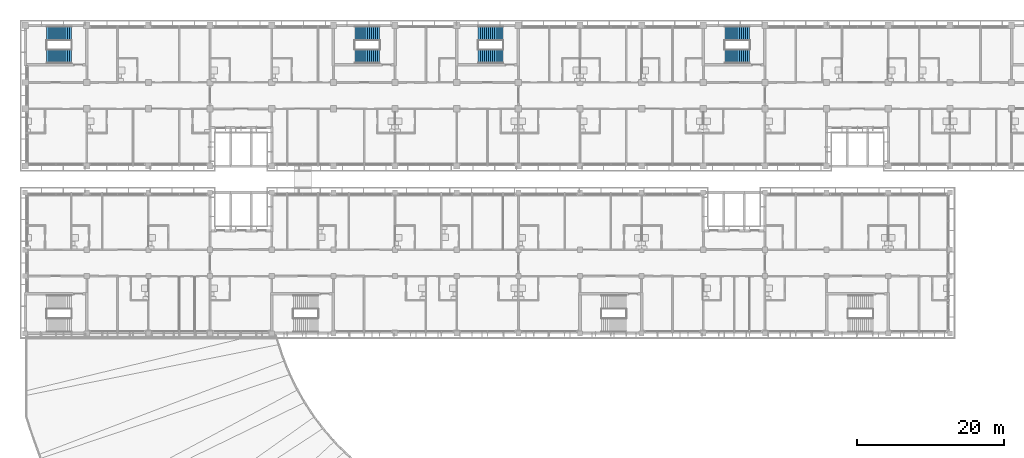
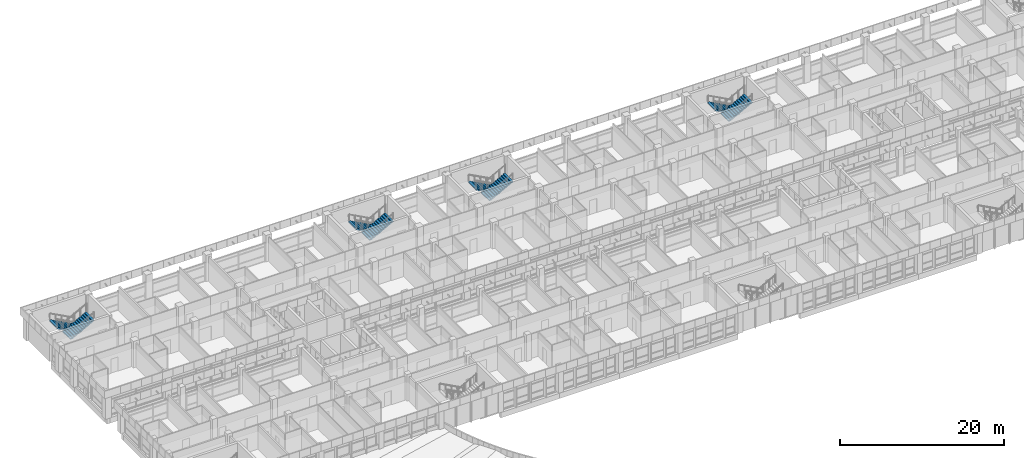
# One storey, part 46 of 74: 8 stair flights, 4 elements without a shape of their own.
"""IFC4 building model written with IfcOpenShell, lengths in metres."""

import ifcopenshell
import ifcopenshell.guid

model = None  # the IFC model being written
_history = None  # IfcOwnerHistory: only IFC2X3 demands one
_inside = {}  # id of a spatial element -> (the spatial element, [elements in it])
_under = {}  # id of a project, library or spatial element -> (it, [spatial elements below it])
_declared = {}  # id of a project -> (the project, [libraries it declares])
_typed = {}  # id of a type object -> (the type object, [elements of that type])
_made_of = {}  # id of a material, layer set ... -> (it, [elements and type objects made of it])


def new_model(schema):
    """Start an empty IFC model of exactly this schema.

    Asked for "IFC4X3", IfcOpenShell would pick the latest addendum, in which some entities
    have other attributes; the version numbers below select the first issue.
    IFC2X3 requires an IfcOwnerHistory on every rooted entity: one is made here for all.
    """
    global model, _history
    if schema == "IFC4X3":
        model = ifcopenshell.file(schema_version=(4, 3, 0, 0))
    else:
        model = ifcopenshell.file(schema=schema)
    _inside.clear()
    _under.clear()
    _declared.clear()
    _typed.clear()
    _made_of.clear()
    _history = None
    if model.schema == "IFC2X3":
        org = make("IfcOrganization", Name="unknown")
        user = make(
            "IfcPersonAndOrganization",
            ThePerson=make("IfcPerson", FamilyName="unknown"),
            TheOrganization=org,
        )
        app = make(
            "IfcApplication",
            ApplicationDeveloper=org,
            Version="unknown",
            ApplicationFullName="unknown",
            ApplicationIdentifier="unknown",
        )
        _history = make(
            "IfcOwnerHistory",
            OwningUser=user,
            OwningApplication=app,
            ChangeAction="ADDED",
            CreationDate=0,
        )
    return model


def make(cls, **values):
    """One entity of the class cls with the attributes given. An attribute that is None is left unset."""
    return model.create_entity(
        cls, **{name: value for name, value in values.items() if value is not None}
    )


def rooted(cls, **values):
    """An entity with a GlobalId (a new one), such as an element, a storey or a relation."""
    return make(cls, GlobalId=ifcopenshell.guid.new(), OwnerHistory=_history, **values)


def si_unit(unit_type, name, prefix=None):
    """IfcSIUnit, for example si_unit("LENGTHUNIT", "METRE", prefix="MILLI")."""
    return make("IfcSIUnit", UnitType=unit_type, Prefix=prefix, Name=name)


def assignment(units):
    """IfcUnitAssignment: the units of a project."""
    return None if units is None else make("IfcUnitAssignment", Units=units)


def point(xyz):
    """IfcCartesianPoint."""
    return None if xyz is None else make("IfcCartesianPoint", Coordinates=xyz)


def direction(xyz):
    """IfcDirection."""
    return None if xyz is None else make("IfcDirection", DirectionRatios=xyz)


def frame(location, z_axis=None, x_axis=None):
    """IfcAxis2Placement3D, a coordinate frame: its origin and axes. An axis left out is left unset."""
    return make(
        "IfcAxis2Placement3D",
        Location=point(location),
        Axis=direction(z_axis),
        RefDirection=direction(x_axis),
    )


def origin():
    """The frame at (0, 0, 0) with its axes left unset."""
    return frame((0.0, 0.0, 0.0))


def place(relative_to, where):
    """IfcLocalPlacement: puts the frame where relative to a parent placement (None: the world)."""
    return make(
        "IfcLocalPlacement", PlacementRelTo=relative_to, RelativePlacement=where
    )


def context(
    kind, dimensions, precision=None, world=None, true_north=None, identifier=None
):
    """IfcGeometricRepresentationContext, for example the 3D "Model" context."""
    return make(
        "IfcGeometricRepresentationContext",
        ContextIdentifier=identifier,
        ContextType=kind,
        CoordinateSpaceDimension=dimensions,
        Precision=precision,
        WorldCoordinateSystem=world,
        TrueNorth=true_north,
    )


def subcontext(parent, identifier, kind, view, scale=None):
    """IfcGeometricRepresentationSubContext, for example "Body" below "Model"."""
    return make(
        "IfcGeometricRepresentationSubContext",
        ContextIdentifier=identifier,
        ContextType=kind,
        ParentContext=parent,
        TargetScale=scale,
        TargetView=view,
    )


def project(units=None, contexts=None):
    """IfcProject with its units and contexts."""
    return rooted(
        "IfcProject",
        Name="project",
        RepresentationContexts=contexts,
        UnitsInContext=assignment(units),
    )


def spatial(cls, under=None, at=None, **own):
    """A site, building, storey or space (cls), placed at a placement, below another one or the project."""
    s = rooted(cls, ObjectPlacement=at, **own)
    if under is not None:
        _under.setdefault(under.id(), (under, []))[1].append(s)
    return s


def polyline(points):
    """IfcPolyline through the points."""
    return make("IfcPolyline", Points=[point(p) for p in points])


def outline(outer, holes=None, kind="AREA"):
    """IfcArbitraryClosedProfileDef: a profile drawn as a closed curve; with holes, ...WithVoids."""
    if holes is None:
        return make("IfcArbitraryClosedProfileDef", ProfileType=kind, OuterCurve=outer)
    return make(
        "IfcArbitraryProfileDefWithVoids",
        ProfileType=kind,
        OuterCurve=outer,
        InnerCurves=holes,
    )


def extrude(swept, where, along, depth):
    """IfcExtrudedAreaSolid: the profile swept, set in the frame where, extruded along a direction by depth."""
    return make(
        "IfcExtrudedAreaSolid",
        SweptArea=swept,
        Position=where,
        ExtrudedDirection=direction(along),
        Depth=depth,
    )


def shape(context_of_items, identifier, shape_type, items):
    """IfcShapeRepresentation: the items that make up one representation, for example the "Body"."""
    return make(
        "IfcShapeRepresentation",
        ContextOfItems=context_of_items,
        RepresentationIdentifier=identifier,
        RepresentationType=shape_type,
        Items=items,
    )


def material(Name=None, Category=None):
    """IfcMaterial."""
    return make("IfcMaterial", Name=Name, Category=Category)


def made_of(thing, what):
    """Note that an element or type object is made of a material, layer set ...; save() writes the relation."""
    if what is not None:
        _made_of.setdefault(what.id(), (what, []))[1].append(thing)
    return thing


def type_object(cls, material=None, **own):
    """A type object (cls), such as IfcWallType, which elements share."""
    return made_of(rooted(cls, **own), material)


def element(
    cls,
    number,
    at=None,
    inside=None,
    cuts=None,
    type_object=None,
    material=None,
    context=None,
    identifier="Body",
    shape_type=None,
    held_by="IfcProductDefinitionShape",
    body=None,
    shapes=None,
    **own,
):
    """One element of the class cls, such as IfcWall. Its Tag is "e" and its number.

    at: its placement. inside: the storey or other place that contains it. cuts: it is an
    opening in that element (IfcRelVoidsElement). A single representation is given by context,
    identifier, shape_type and body (its items); several are given by shapes. held_by: the class
    of the entity that holds the representations. save() writes the other relations.
    """
    e = rooted(cls, Tag="e%d" % number, ObjectPlacement=at, **own)
    if body is not None:
        shapes = [shape(context, identifier, shape_type, body)]
    if shapes is not None:
        e.Representation = make(held_by, Representations=shapes)
    if inside is not None:
        _inside.setdefault(inside.id(), (inside, []))[1].append(e)
    if cuts is not None:
        rooted(
            "IfcRelVoidsElement", RelatingBuildingElement=cuts, RelatedOpeningElement=e
        )
    if type_object is not None:
        _typed.setdefault(type_object.id(), (type_object, []))[1].append(e)
    return made_of(e, material)


def aggregate(whole, parts):
    """IfcRelAggregates: a whole, such as a stair, and the parts it consists of."""
    return rooted("IfcRelAggregates", RelatingObject=whole, RelatedObjects=parts)


def save(model, path):
    """Write the relations noted so far, then the file.

    IfcRelAggregates (storeys below a building ...), IfcRelContainedInSpatialStructure (elements
    in a storey), IfcRelDefinesByType, IfcRelAssociatesMaterial and IfcRelDeclares: one each for
    every whole, place, type object, material and project.
    """
    for whole, parts in _under.values():
        aggregate(whole, parts)
    for where, things in _inside.values():
        rooted(
            "IfcRelContainedInSpatialStructure",
            RelatedElements=things,
            RelatingStructure=where,
        )
    for kind, things in _typed.values():
        rooted("IfcRelDefinesByType", RelatedObjects=things, RelatingType=kind)
    for what, things in _made_of.values():
        rooted("IfcRelAssociatesMaterial", RelatedObjects=things, RelatingMaterial=what)
    for by, libraries in _declared.values():
        rooted("IfcRelDeclares", RelatingContext=by, RelatedDefinitions=libraries)
    model.write(path)


model = new_model("IFC4")

# Units and contexts
model_context = context("Model", 3, precision=1e-05, world=origin(), true_north=direction((0.0, 1.0)))
body_context = subcontext(model_context, "Body", "Model", "MODEL_VIEW")
ifc_project = project(units=[si_unit("LENGTHUNIT", "METRE"), si_unit("AREAUNIT", "SQUARE_METRE"), si_unit("VOLUMEUNIT", "CUBIC_METRE"), si_unit("PLANEANGLEUNIT", "RADIAN"), si_unit("MASSUNIT", "GRAM", prefix="KILO")], contexts=[model_context])

# Site, building, storey
site_placement = place(None, origin())
site = spatial("IfcSite", under=ifc_project, at=site_placement, CompositionType="ELEMENT")
building_placement = place(site_placement, origin())
building = spatial("IfcBuilding", under=site, at=building_placement, Name="Bougainvillea Quay General Hospital", CompositionType="ELEMENT")
storey_placement = place(building_placement, frame((0.0, 0.0, 21.0)))
storey = spatial("IfcBuildingStorey", under=building, at=storey_placement, Name="L04", CompositionType="ELEMENT", Elevation=21.0)

# Stair, stair flights
ifc_material = material(Name="Concrete C35", Category="concrete")
stair_type = type_object("IfcStairType", Name="Stair half-turn 1925 wide", PredefinedType="HALF_TURN_STAIR", material=ifc_material)
stair_1_placement = place(storey_placement, origin())
stair_1 = element("IfcStair", 1, at=stair_1_placement, inside=storey, type_object=stair_type, Name="L04 stair ST-A1", PredefinedType="HALF_TURN_STAIR")
stair_flight_type = type_object("IfcStairFlightType", Name="Stair flight 1925", PredefinedType="STRAIGHT", material=ifc_material)
stair_flight_1_placement = place(storey_placement, frame((48.300048828125, 158.46240234375, 0.0), z_axis=(0.0, 0.0, 1.0), x_axis=(-1.0, 0.0, 0.0)))
stair_flight_1 = element("IfcStairFlight", 2, at=stair_flight_1_placement, type_object=stair_flight_type, Name="ST-A1 flight 1", NumberOfRisers=13, NumberOfTreads=12, PredefinedType="STRAIGHT", RiserHeight=0.15, TreadLength=0.28, context=body_context, shape_type="SweptSolid", body=[
    extrude(outline(polyline([(-0.0029296875, 0.0), (-0.0029296875, 0.003662109375), (-0.0029296875, 0.00732421875), (-0.0029296875, 0.010986328125), (-0.0029296875, 0.0146484375), (-0.0029296875, 0.018310546875), (-0.0029296875, 0.02197265625), (-0.0029296875, 0.025634765625), (-0.0029296875, 0.029296875), (-0.0029296875, 0.032958984375), (-0.0029296875, 0.03662109375), (-0.0029296875, 0.040283203125), (-0.0029296875, 0.0439453125), (-0.0029296875, 0.047607421875), (-0.0029296875, 0.05126953125), (-0.0029296875, 0.054931640625), (-0.0029296875, 0.05859375), (-0.0029296875, 0.062255859375), (-0.0029296875, 0.06591796875), (-0.0029296875, 0.069580078125), (-0.0029296875, 0.0732421875), (-0.0029296875, 0.076904296875), (-0.0029296875, 0.08056640625), (-0.0029296875, 0.084228515625), (-0.0029296875, 0.087890625), (-0.0029296875, 0.091552734375), (-0.0029296875, 0.09521484375), (-0.0029296875, 0.098876953125), (-0.0029296875, 0.1025390625), (-0.0029296875, 0.106201171875), (-0.0029296875, 0.10986328125), (-0.0029296875, 0.113525390625), (-0.0029296875, 0.1171875), (-0.0029296875, 0.120849609375), (-0.0029296875, 0.12451171875), (-0.0029296875, 0.1279296875), (-0.0029296875, 0.131591796875), (-0.0029296875, 0.13525390625), (-0.0029296875, 0.138916015625), (-0.0029296875, 0.142578125), (-0.0029296875, 0.146240234375), (-0.0029296875, 0.14990234375), (0.280029296875, 0.14990234375), (0.280029296875, 0.300048828125), (0.56005859375, 0.300048828125), (0.56005859375, 0.449951171875), (0.840087890625, 0.449951171875), (0.840087890625, 0.60009765625), (1.1201171875, 0.60009765625), (1.1201171875, 0.75), (1.39990234375, 0.75), (1.39990234375, 0.89990234375), (1.679931640625, 0.89990234375), (1.679931640625, 1.050048828125), (1.9599609375, 1.050048828125), (1.9599609375, 1.199951171875), (2.239990234375, 1.199951171875), (2.239990234375, 1.35009765625), (2.52001953125, 1.35009765625), (2.52001953125, 1.5), (2.800048828125, 1.5), (2.800048828125, 1.64990234375), (3.080078125, 1.64990234375), (3.080078125, 1.800048828125), (3.363037109375, 1.800048828125), (3.363037109375, 1.7958984375), (3.363037109375, 1.791748046875), (3.363037109375, 1.78759765625), (3.363037109375, 1.783447265625), (3.363037109375, 1.779296875), (3.363037109375, 1.775146484375), (3.363037109375, 1.77099609375), (3.363037109375, 1.766845703125), (3.363037109375, 1.7626953125), (3.363037109375, 1.758544921875), (3.363037109375, 1.75439453125), (3.363037109375, 1.750244140625), (3.363037109375, 1.74609375), (3.363037109375, 1.741943359375), (3.363037109375, 1.73779296875), (3.363037109375, 1.733642578125), (3.363037109375, 1.7294921875), (3.363037109375, 1.725341796875), (3.363037109375, 1.72119140625), (3.363037109375, 1.717041015625), (3.363037109375, 1.712890625), (3.363037109375, 1.708740234375), (3.363037109375, 1.70458984375), (3.363037109375, 1.700439453125), (3.363037109375, 1.6962890625), (3.363037109375, 1.692138671875), (3.363037109375, 1.68798828125), (3.363037109375, 1.683837890625), (3.363037109375, 1.6796875), (3.363037109375, 1.675537109375), (3.363037109375, 1.67138671875), (3.363037109375, 1.667236328125), (3.363037109375, 1.6630859375), (3.363037109375, 1.658935546875), (3.363037109375, 1.65478515625), (3.363037109375, 1.650634765625), (3.363037109375, 1.646484375), (3.363037109375, 1.642333984375), (3.363037109375, 1.63818359375), (3.363037109375, 1.634033203125), (3.363037109375, 1.6298828125), (0.3173828125, 0.0), (-0.0029296875, 0.0)])), frame((0.0, 0.96240234375, 0.0), z_axis=(0.0, -1.0, 0.0), x_axis=(1.0, 0.0, 0.0)), (0.0, 0.0, 1.0), 1.925048828125),
])
stair_flight_2_placement = place(storey_placement, frame((44.93994140625, 155.33740234375, 1.949951171875), z_axis=(0.0, 0.0, 1.0), x_axis=(1.0, 0.0, 0.0)))
stair_flight_2 = element("IfcStairFlight", 3, at=stair_flight_2_placement, type_object=stair_flight_type, Name="ST-A1 flight 2", NumberOfRisers=13, NumberOfTreads=12, PredefinedType="STRAIGHT", RiserHeight=0.15, TreadLength=0.28, context=body_context, shape_type="SweptSolid", body=[
    extrude(outline(polyline([(-0.0029296875, 0.0), (-0.0029296875, 0.003662109375), (-0.0029296875, 0.00732421875), (-0.0029296875, 0.010986328125), (-0.0029296875, 0.0146484375), (-0.0029296875, 0.018310546875), (-0.0029296875, 0.02197265625), (-0.0029296875, 0.025634765625), (-0.0029296875, 0.029296875), (-0.0029296875, 0.032958984375), (-0.0029296875, 0.03662109375), (-0.0029296875, 0.040283203125), (-0.0029296875, 0.0439453125), (-0.0029296875, 0.047607421875), (-0.0029296875, 0.05126953125), (-0.0029296875, 0.054931640625), (-0.0029296875, 0.05859375), (-0.0029296875, 0.062255859375), (-0.0029296875, 0.06591796875), (-0.0029296875, 0.069580078125), (-0.0029296875, 0.0732421875), (-0.0029296875, 0.076904296875), (-0.0029296875, 0.08056640625), (-0.0029296875, 0.084228515625), (-0.0029296875, 0.087890625), (-0.0029296875, 0.091552734375), (-0.0029296875, 0.09521484375), (-0.0029296875, 0.098876953125), (-0.0029296875, 0.1025390625), (-0.0029296875, 0.106201171875), (-0.0029296875, 0.10986328125), (-0.0029296875, 0.113525390625), (-0.0029296875, 0.1171875), (-0.0029296875, 0.120849609375), (-0.0029296875, 0.12451171875), (-0.0029296875, 0.1279296875), (-0.0029296875, 0.131591796875), (-0.0029296875, 0.13525390625), (-0.0029296875, 0.138916015625), (-0.0029296875, 0.142578125), (-0.0029296875, 0.146240234375), (-0.0029296875, 0.14990234375), (0.280029296875, 0.14990234375), (0.280029296875, 0.300048828125), (0.56005859375, 0.300048828125), (0.56005859375, 0.449951171875), (0.840087890625, 0.449951171875), (0.840087890625, 0.60009765625), (1.1201171875, 0.60009765625), (1.1201171875, 0.75), (1.39990234375, 0.75), (1.39990234375, 0.89990234375), (1.679931640625, 0.89990234375), (1.679931640625, 1.050048828125), (1.9599609375, 1.050048828125), (1.9599609375, 1.199951171875), (2.239990234375, 1.199951171875), (2.239990234375, 1.35009765625), (2.52001953125, 1.35009765625), (2.52001953125, 1.5), (2.800048828125, 1.5), (2.800048828125, 1.64990234375), (3.080078125, 1.64990234375), (3.080078125, 1.800048828125), (3.363037109375, 1.800048828125), (3.363037109375, 1.7958984375), (3.363037109375, 1.791748046875), (3.363037109375, 1.78759765625), (3.363037109375, 1.783447265625), (3.363037109375, 1.779296875), (3.363037109375, 1.775146484375), (3.363037109375, 1.77099609375), (3.363037109375, 1.766845703125), (3.363037109375, 1.7626953125), (3.363037109375, 1.758544921875), (3.363037109375, 1.75439453125), (3.363037109375, 1.750244140625), (3.363037109375, 1.74609375), (3.363037109375, 1.741943359375), (3.363037109375, 1.73779296875), (3.363037109375, 1.733642578125), (3.363037109375, 1.7294921875), (3.363037109375, 1.725341796875), (3.363037109375, 1.72119140625), (3.363037109375, 1.717041015625), (3.363037109375, 1.712890625), (3.363037109375, 1.708740234375), (3.363037109375, 1.70458984375), (3.363037109375, 1.700439453125), (3.363037109375, 1.6962890625), (3.363037109375, 1.692138671875), (3.363037109375, 1.68798828125), (3.363037109375, 1.683837890625), (3.363037109375, 1.6796875), (3.363037109375, 1.675537109375), (3.363037109375, 1.67138671875), (3.363037109375, 1.667236328125), (3.363037109375, 1.6630859375), (3.363037109375, 1.658935546875), (3.363037109375, 1.65478515625), (3.363037109375, 1.650634765625), (3.363037109375, 1.646484375), (3.363037109375, 1.642333984375), (3.363037109375, 1.63818359375), (3.363037109375, 1.634033203125), (3.363037109375, 1.6298828125), (0.3173828125, 0.0), (-0.0029296875, 0.0)])), frame((0.0, 0.96240234375, 0.0), z_axis=(0.0, -1.0, 0.0), x_axis=(1.0, 0.0, 0.0)), (0.0, 0.0, 1.0), 1.925048828125),
])
aggregate(stair_1, [stair_flight_1, stair_flight_2])

stair_2_placement = place(storey_placement, origin())
stair_2 = element("IfcStair", 4, at=stair_2_placement, inside=storey, type_object=stair_type, Name="L04 stair ST-A2", PredefinedType="HALF_TURN_STAIR")
stair_flight_3_placement = place(storey_placement, frame((90.300048828125, 158.46240234375, 0.0), z_axis=(0.0, 0.0, 1.0), x_axis=(-1.0, 0.0, 0.0)))
stair_flight_3 = element("IfcStairFlight", 5, at=stair_flight_3_placement, type_object=stair_flight_type, Name="ST-A2 flight 1", NumberOfRisers=13, NumberOfTreads=12, PredefinedType="STRAIGHT", RiserHeight=0.15, TreadLength=0.28, context=body_context, shape_type="SweptSolid", body=[
    extrude(outline(polyline([(-0.0029296875, 0.0), (-0.0029296875, 0.003662109375), (-0.0029296875, 0.00732421875), (-0.0029296875, 0.010986328125), (-0.0029296875, 0.0146484375), (-0.0029296875, 0.018310546875), (-0.0029296875, 0.02197265625), (-0.0029296875, 0.025634765625), (-0.0029296875, 0.029296875), (-0.0029296875, 0.032958984375), (-0.0029296875, 0.03662109375), (-0.0029296875, 0.040283203125), (-0.0029296875, 0.0439453125), (-0.0029296875, 0.047607421875), (-0.0029296875, 0.05126953125), (-0.0029296875, 0.054931640625), (-0.0029296875, 0.05859375), (-0.0029296875, 0.062255859375), (-0.0029296875, 0.06591796875), (-0.0029296875, 0.069580078125), (-0.0029296875, 0.0732421875), (-0.0029296875, 0.076904296875), (-0.0029296875, 0.08056640625), (-0.0029296875, 0.084228515625), (-0.0029296875, 0.087890625), (-0.0029296875, 0.091552734375), (-0.0029296875, 0.09521484375), (-0.0029296875, 0.098876953125), (-0.0029296875, 0.1025390625), (-0.0029296875, 0.106201171875), (-0.0029296875, 0.10986328125), (-0.0029296875, 0.113525390625), (-0.0029296875, 0.1171875), (-0.0029296875, 0.120849609375), (-0.0029296875, 0.12451171875), (-0.0029296875, 0.1279296875), (-0.0029296875, 0.131591796875), (-0.0029296875, 0.13525390625), (-0.0029296875, 0.138916015625), (-0.0029296875, 0.142578125), (-0.0029296875, 0.146240234375), (-0.0029296875, 0.14990234375), (0.280029296875, 0.14990234375), (0.280029296875, 0.300048828125), (0.56005859375, 0.300048828125), (0.56005859375, 0.449951171875), (0.840087890625, 0.449951171875), (0.840087890625, 0.60009765625), (1.1201171875, 0.60009765625), (1.1201171875, 0.75), (1.39990234375, 0.75), (1.39990234375, 0.89990234375), (1.679931640625, 0.89990234375), (1.679931640625, 1.050048828125), (1.9599609375, 1.050048828125), (1.9599609375, 1.199951171875), (2.239990234375, 1.199951171875), (2.239990234375, 1.35009765625), (2.52001953125, 1.35009765625), (2.52001953125, 1.5), (2.800048828125, 1.5), (2.800048828125, 1.64990234375), (3.080078125, 1.64990234375), (3.080078125, 1.800048828125), (3.363037109375, 1.800048828125), (3.363037109375, 1.7958984375), (3.363037109375, 1.791748046875), (3.363037109375, 1.78759765625), (3.363037109375, 1.783447265625), (3.363037109375, 1.779296875), (3.363037109375, 1.775146484375), (3.363037109375, 1.77099609375), (3.363037109375, 1.766845703125), (3.363037109375, 1.7626953125), (3.363037109375, 1.758544921875), (3.363037109375, 1.75439453125), (3.363037109375, 1.750244140625), (3.363037109375, 1.74609375), (3.363037109375, 1.741943359375), (3.363037109375, 1.73779296875), (3.363037109375, 1.733642578125), (3.363037109375, 1.7294921875), (3.363037109375, 1.725341796875), (3.363037109375, 1.72119140625), (3.363037109375, 1.717041015625), (3.363037109375, 1.712890625), (3.363037109375, 1.708740234375), (3.363037109375, 1.70458984375), (3.363037109375, 1.700439453125), (3.363037109375, 1.6962890625), (3.363037109375, 1.692138671875), (3.363037109375, 1.68798828125), (3.363037109375, 1.683837890625), (3.363037109375, 1.6796875), (3.363037109375, 1.675537109375), (3.363037109375, 1.67138671875), (3.363037109375, 1.667236328125), (3.363037109375, 1.6630859375), (3.363037109375, 1.658935546875), (3.363037109375, 1.65478515625), (3.363037109375, 1.650634765625), (3.363037109375, 1.646484375), (3.363037109375, 1.642333984375), (3.363037109375, 1.63818359375), (3.363037109375, 1.634033203125), (3.363037109375, 1.6298828125), (0.3173828125, 0.0), (-0.0029296875, 0.0)])), frame((0.0, 0.96240234375, 0.0), z_axis=(0.0, -1.0, 0.0), x_axis=(1.0, 0.0, 0.0)), (0.0, 0.0, 1.0), 1.925048828125),
])
stair_flight_4_placement = place(storey_placement, frame((86.93994140625, 155.33740234375, 1.949951171875), z_axis=(0.0, 0.0, 1.0), x_axis=(1.0, 0.0, 0.0)))
stair_flight_4 = element("IfcStairFlight", 6, at=stair_flight_4_placement, type_object=stair_flight_type, Name="ST-A2 flight 2", NumberOfRisers=13, NumberOfTreads=12, PredefinedType="STRAIGHT", RiserHeight=0.15, TreadLength=0.28, context=body_context, shape_type="SweptSolid", body=[
    extrude(outline(polyline([(-0.0029296875, 0.0), (-0.0029296875, 0.003662109375), (-0.0029296875, 0.00732421875), (-0.0029296875, 0.010986328125), (-0.0029296875, 0.0146484375), (-0.0029296875, 0.018310546875), (-0.0029296875, 0.02197265625), (-0.0029296875, 0.025634765625), (-0.0029296875, 0.029296875), (-0.0029296875, 0.032958984375), (-0.0029296875, 0.03662109375), (-0.0029296875, 0.040283203125), (-0.0029296875, 0.0439453125), (-0.0029296875, 0.047607421875), (-0.0029296875, 0.05126953125), (-0.0029296875, 0.054931640625), (-0.0029296875, 0.05859375), (-0.0029296875, 0.062255859375), (-0.0029296875, 0.06591796875), (-0.0029296875, 0.069580078125), (-0.0029296875, 0.0732421875), (-0.0029296875, 0.076904296875), (-0.0029296875, 0.08056640625), (-0.0029296875, 0.084228515625), (-0.0029296875, 0.087890625), (-0.0029296875, 0.091552734375), (-0.0029296875, 0.09521484375), (-0.0029296875, 0.098876953125), (-0.0029296875, 0.1025390625), (-0.0029296875, 0.106201171875), (-0.0029296875, 0.10986328125), (-0.0029296875, 0.113525390625), (-0.0029296875, 0.1171875), (-0.0029296875, 0.120849609375), (-0.0029296875, 0.12451171875), (-0.0029296875, 0.1279296875), (-0.0029296875, 0.131591796875), (-0.0029296875, 0.13525390625), (-0.0029296875, 0.138916015625), (-0.0029296875, 0.142578125), (-0.0029296875, 0.146240234375), (-0.0029296875, 0.14990234375), (0.280029296875, 0.14990234375), (0.280029296875, 0.300048828125), (0.56005859375, 0.300048828125), (0.56005859375, 0.449951171875), (0.840087890625, 0.449951171875), (0.840087890625, 0.60009765625), (1.1201171875, 0.60009765625), (1.1201171875, 0.75), (1.39990234375, 0.75), (1.39990234375, 0.89990234375), (1.679931640625, 0.89990234375), (1.679931640625, 1.050048828125), (1.9599609375, 1.050048828125), (1.9599609375, 1.199951171875), (2.239990234375, 1.199951171875), (2.239990234375, 1.35009765625), (2.52001953125, 1.35009765625), (2.52001953125, 1.5), (2.800048828125, 1.5), (2.800048828125, 1.64990234375), (3.080078125, 1.64990234375), (3.080078125, 1.800048828125), (3.363037109375, 1.800048828125), (3.363037109375, 1.7958984375), (3.363037109375, 1.791748046875), (3.363037109375, 1.78759765625), (3.363037109375, 1.783447265625), (3.363037109375, 1.779296875), (3.363037109375, 1.775146484375), (3.363037109375, 1.77099609375), (3.363037109375, 1.766845703125), (3.363037109375, 1.7626953125), (3.363037109375, 1.758544921875), (3.363037109375, 1.75439453125), (3.363037109375, 1.750244140625), (3.363037109375, 1.74609375), (3.363037109375, 1.741943359375), (3.363037109375, 1.73779296875), (3.363037109375, 1.733642578125), (3.363037109375, 1.7294921875), (3.363037109375, 1.725341796875), (3.363037109375, 1.72119140625), (3.363037109375, 1.717041015625), (3.363037109375, 1.712890625), (3.363037109375, 1.708740234375), (3.363037109375, 1.70458984375), (3.363037109375, 1.700439453125), (3.363037109375, 1.6962890625), (3.363037109375, 1.692138671875), (3.363037109375, 1.68798828125), (3.363037109375, 1.683837890625), (3.363037109375, 1.6796875), (3.363037109375, 1.675537109375), (3.363037109375, 1.67138671875), (3.363037109375, 1.667236328125), (3.363037109375, 1.6630859375), (3.363037109375, 1.658935546875), (3.363037109375, 1.65478515625), (3.363037109375, 1.650634765625), (3.363037109375, 1.646484375), (3.363037109375, 1.642333984375), (3.363037109375, 1.63818359375), (3.363037109375, 1.634033203125), (3.363037109375, 1.6298828125), (0.3173828125, 0.0), (-0.0029296875, 0.0)])), frame((0.0, 0.96240234375, 0.0), z_axis=(0.0, -1.0, 0.0), x_axis=(1.0, 0.0, 0.0)), (0.0, 0.0, 1.0), 1.925048828125),
])
aggregate(stair_2, [stair_flight_3, stair_flight_4])

stair_3_placement = place(storey_placement, origin())
stair_3 = element("IfcStair", 7, at=stair_3_placement, inside=storey, type_object=stair_type, Name="L04 stair ST-A3", PredefinedType="HALF_TURN_STAIR")
stair_flight_5_placement = place(storey_placement, frame((140.699951171875, 158.46240234375, 0.0), z_axis=(0.0, 0.0, 1.0), x_axis=(-1.0, 0.0, 0.0)))
stair_flight_5 = element("IfcStairFlight", 8, at=stair_flight_5_placement, type_object=stair_flight_type, Name="ST-A3 flight 1", NumberOfRisers=13, NumberOfTreads=12, PredefinedType="STRAIGHT", RiserHeight=0.15, TreadLength=0.28, context=body_context, shape_type="SweptSolid", body=[
    extrude(outline(polyline([(-0.0029296875, 0.0), (-0.0029296875, 0.003662109375), (-0.0029296875, 0.00732421875), (-0.0029296875, 0.010986328125), (-0.0029296875, 0.0146484375), (-0.0029296875, 0.018310546875), (-0.0029296875, 0.02197265625), (-0.0029296875, 0.025634765625), (-0.0029296875, 0.029296875), (-0.0029296875, 0.032958984375), (-0.0029296875, 0.03662109375), (-0.0029296875, 0.040283203125), (-0.0029296875, 0.0439453125), (-0.0029296875, 0.047607421875), (-0.0029296875, 0.05126953125), (-0.0029296875, 0.054931640625), (-0.0029296875, 0.05859375), (-0.0029296875, 0.062255859375), (-0.0029296875, 0.06591796875), (-0.0029296875, 0.069580078125), (-0.0029296875, 0.0732421875), (-0.0029296875, 0.076904296875), (-0.0029296875, 0.08056640625), (-0.0029296875, 0.084228515625), (-0.0029296875, 0.087890625), (-0.0029296875, 0.091552734375), (-0.0029296875, 0.09521484375), (-0.0029296875, 0.098876953125), (-0.0029296875, 0.1025390625), (-0.0029296875, 0.106201171875), (-0.0029296875, 0.10986328125), (-0.0029296875, 0.113525390625), (-0.0029296875, 0.1171875), (-0.0029296875, 0.120849609375), (-0.0029296875, 0.12451171875), (-0.0029296875, 0.1279296875), (-0.0029296875, 0.131591796875), (-0.0029296875, 0.13525390625), (-0.0029296875, 0.138916015625), (-0.0029296875, 0.142578125), (-0.0029296875, 0.146240234375), (-0.0029296875, 0.14990234375), (0.280029296875, 0.14990234375), (0.280029296875, 0.300048828125), (0.56005859375, 0.300048828125), (0.56005859375, 0.449951171875), (0.840087890625, 0.449951171875), (0.840087890625, 0.60009765625), (1.1201171875, 0.60009765625), (1.1201171875, 0.75), (1.39990234375, 0.75), (1.39990234375, 0.89990234375), (1.679931640625, 0.89990234375), (1.679931640625, 1.050048828125), (1.9599609375, 1.050048828125), (1.9599609375, 1.199951171875), (2.239990234375, 1.199951171875), (2.239990234375, 1.35009765625), (2.52001953125, 1.35009765625), (2.52001953125, 1.5), (2.800048828125, 1.5), (2.800048828125, 1.64990234375), (3.080078125, 1.64990234375), (3.080078125, 1.800048828125), (3.363037109375, 1.800048828125), (3.363037109375, 1.7958984375), (3.363037109375, 1.791748046875), (3.363037109375, 1.78759765625), (3.363037109375, 1.783447265625), (3.363037109375, 1.779296875), (3.363037109375, 1.775146484375), (3.363037109375, 1.77099609375), (3.363037109375, 1.766845703125), (3.363037109375, 1.7626953125), (3.363037109375, 1.758544921875), (3.363037109375, 1.75439453125), (3.363037109375, 1.750244140625), (3.363037109375, 1.74609375), (3.363037109375, 1.741943359375), (3.363037109375, 1.73779296875), (3.363037109375, 1.733642578125), (3.363037109375, 1.7294921875), (3.363037109375, 1.725341796875), (3.363037109375, 1.72119140625), (3.363037109375, 1.717041015625), (3.363037109375, 1.712890625), (3.363037109375, 1.708740234375), (3.363037109375, 1.70458984375), (3.363037109375, 1.700439453125), (3.363037109375, 1.6962890625), (3.363037109375, 1.692138671875), (3.363037109375, 1.68798828125), (3.363037109375, 1.683837890625), (3.363037109375, 1.6796875), (3.363037109375, 1.675537109375), (3.363037109375, 1.67138671875), (3.363037109375, 1.667236328125), (3.363037109375, 1.6630859375), (3.363037109375, 1.658935546875), (3.363037109375, 1.65478515625), (3.363037109375, 1.650634765625), (3.363037109375, 1.646484375), (3.363037109375, 1.642333984375), (3.363037109375, 1.63818359375), (3.363037109375, 1.634033203125), (3.363037109375, 1.6298828125), (0.3173828125, 0.0), (-0.0029296875, 0.0)])), frame((0.0, 0.96240234375, 0.0), z_axis=(0.0, -1.0, 0.0), x_axis=(1.0, 0.0, 0.0)), (0.0, 0.0, 1.0), 1.925048828125),
])
stair_flight_6_placement = place(storey_placement, frame((137.340087890625, 155.33740234375, 1.949951171875), z_axis=(0.0, 0.0, 1.0), x_axis=(1.0, 0.0, 0.0)))
stair_flight_6 = element("IfcStairFlight", 9, at=stair_flight_6_placement, type_object=stair_flight_type, Name="ST-A3 flight 2", NumberOfRisers=13, NumberOfTreads=12, PredefinedType="STRAIGHT", RiserHeight=0.15, TreadLength=0.28, context=body_context, shape_type="SweptSolid", body=[
    extrude(outline(polyline([(-0.0029296875, 0.0), (-0.0029296875, 0.003662109375), (-0.0029296875, 0.00732421875), (-0.0029296875, 0.010986328125), (-0.0029296875, 0.0146484375), (-0.0029296875, 0.018310546875), (-0.0029296875, 0.02197265625), (-0.0029296875, 0.025634765625), (-0.0029296875, 0.029296875), (-0.0029296875, 0.032958984375), (-0.0029296875, 0.03662109375), (-0.0029296875, 0.040283203125), (-0.0029296875, 0.0439453125), (-0.0029296875, 0.047607421875), (-0.0029296875, 0.05126953125), (-0.0029296875, 0.054931640625), (-0.0029296875, 0.05859375), (-0.0029296875, 0.062255859375), (-0.0029296875, 0.06591796875), (-0.0029296875, 0.069580078125), (-0.0029296875, 0.0732421875), (-0.0029296875, 0.076904296875), (-0.0029296875, 0.08056640625), (-0.0029296875, 0.084228515625), (-0.0029296875, 0.087890625), (-0.0029296875, 0.091552734375), (-0.0029296875, 0.09521484375), (-0.0029296875, 0.098876953125), (-0.0029296875, 0.1025390625), (-0.0029296875, 0.106201171875), (-0.0029296875, 0.10986328125), (-0.0029296875, 0.113525390625), (-0.0029296875, 0.1171875), (-0.0029296875, 0.120849609375), (-0.0029296875, 0.12451171875), (-0.0029296875, 0.1279296875), (-0.0029296875, 0.131591796875), (-0.0029296875, 0.13525390625), (-0.0029296875, 0.138916015625), (-0.0029296875, 0.142578125), (-0.0029296875, 0.146240234375), (-0.0029296875, 0.14990234375), (0.280029296875, 0.14990234375), (0.280029296875, 0.300048828125), (0.56005859375, 0.300048828125), (0.56005859375, 0.449951171875), (0.840087890625, 0.449951171875), (0.840087890625, 0.60009765625), (1.1201171875, 0.60009765625), (1.1201171875, 0.75), (1.39990234375, 0.75), (1.39990234375, 0.89990234375), (1.679931640625, 0.89990234375), (1.679931640625, 1.050048828125), (1.9599609375, 1.050048828125), (1.9599609375, 1.199951171875), (2.239990234375, 1.199951171875), (2.239990234375, 1.35009765625), (2.52001953125, 1.35009765625), (2.52001953125, 1.5), (2.800048828125, 1.5), (2.800048828125, 1.64990234375), (3.080078125, 1.64990234375), (3.080078125, 1.800048828125), (3.363037109375, 1.800048828125), (3.363037109375, 1.7958984375), (3.363037109375, 1.791748046875), (3.363037109375, 1.78759765625), (3.363037109375, 1.783447265625), (3.363037109375, 1.779296875), (3.363037109375, 1.775146484375), (3.363037109375, 1.77099609375), (3.363037109375, 1.766845703125), (3.363037109375, 1.7626953125), (3.363037109375, 1.758544921875), (3.363037109375, 1.75439453125), (3.363037109375, 1.750244140625), (3.363037109375, 1.74609375), (3.363037109375, 1.741943359375), (3.363037109375, 1.73779296875), (3.363037109375, 1.733642578125), (3.363037109375, 1.7294921875), (3.363037109375, 1.725341796875), (3.363037109375, 1.72119140625), (3.363037109375, 1.717041015625), (3.363037109375, 1.712890625), (3.363037109375, 1.708740234375), (3.363037109375, 1.70458984375), (3.363037109375, 1.700439453125), (3.363037109375, 1.6962890625), (3.363037109375, 1.692138671875), (3.363037109375, 1.68798828125), (3.363037109375, 1.683837890625), (3.363037109375, 1.6796875), (3.363037109375, 1.675537109375), (3.363037109375, 1.67138671875), (3.363037109375, 1.667236328125), (3.363037109375, 1.6630859375), (3.363037109375, 1.658935546875), (3.363037109375, 1.65478515625), (3.363037109375, 1.650634765625), (3.363037109375, 1.646484375), (3.363037109375, 1.642333984375), (3.363037109375, 1.63818359375), (3.363037109375, 1.634033203125), (3.363037109375, 1.6298828125), (0.3173828125, 0.0), (-0.0029296875, 0.0)])), frame((0.0, 0.96240234375, 0.0), z_axis=(0.0, -1.0, 0.0), x_axis=(1.0, 0.0, 0.0)), (0.0, 0.0, 1.0), 1.925048828125),
])
aggregate(stair_3, [stair_flight_5, stair_flight_6])

stair_4_placement = place(storey_placement, origin())
stair_4 = element("IfcStair", 10, at=stair_4_placement, inside=storey, type_object=stair_type, Name="L04 stair ST-A5", PredefinedType="HALF_TURN_STAIR")
stair_flight_7_placement = place(storey_placement, frame((107.10009765625, 158.46240234375, 0.0), z_axis=(0.0, 0.0, 1.0), x_axis=(-1.0, 0.0, 0.0)))
stair_flight_7 = element("IfcStairFlight", 11, at=stair_flight_7_placement, type_object=stair_flight_type, Name="ST-A5 flight 1", NumberOfRisers=13, NumberOfTreads=12, PredefinedType="STRAIGHT", RiserHeight=0.15, TreadLength=0.28, context=body_context, shape_type="SweptSolid", body=[
    extrude(outline(polyline([(-0.0029296875, 0.0), (-0.0029296875, 0.003662109375), (-0.0029296875, 0.00732421875), (-0.0029296875, 0.010986328125), (-0.0029296875, 0.0146484375), (-0.0029296875, 0.018310546875), (-0.0029296875, 0.02197265625), (-0.0029296875, 0.025634765625), (-0.0029296875, 0.029296875), (-0.0029296875, 0.032958984375), (-0.0029296875, 0.03662109375), (-0.0029296875, 0.040283203125), (-0.0029296875, 0.0439453125), (-0.0029296875, 0.047607421875), (-0.0029296875, 0.05126953125), (-0.0029296875, 0.054931640625), (-0.0029296875, 0.05859375), (-0.0029296875, 0.062255859375), (-0.0029296875, 0.06591796875), (-0.0029296875, 0.069580078125), (-0.0029296875, 0.0732421875), (-0.0029296875, 0.076904296875), (-0.0029296875, 0.08056640625), (-0.0029296875, 0.084228515625), (-0.0029296875, 0.087890625), (-0.0029296875, 0.091552734375), (-0.0029296875, 0.09521484375), (-0.0029296875, 0.098876953125), (-0.0029296875, 0.1025390625), (-0.0029296875, 0.106201171875), (-0.0029296875, 0.10986328125), (-0.0029296875, 0.113525390625), (-0.0029296875, 0.1171875), (-0.0029296875, 0.120849609375), (-0.0029296875, 0.12451171875), (-0.0029296875, 0.1279296875), (-0.0029296875, 0.131591796875), (-0.0029296875, 0.13525390625), (-0.0029296875, 0.138916015625), (-0.0029296875, 0.142578125), (-0.0029296875, 0.146240234375), (-0.0029296875, 0.14990234375), (0.280029296875, 0.14990234375), (0.280029296875, 0.300048828125), (0.56005859375, 0.300048828125), (0.56005859375, 0.449951171875), (0.840087890625, 0.449951171875), (0.840087890625, 0.60009765625), (1.1201171875, 0.60009765625), (1.1201171875, 0.75), (1.39990234375, 0.75), (1.39990234375, 0.89990234375), (1.679931640625, 0.89990234375), (1.679931640625, 1.050048828125), (1.9599609375, 1.050048828125), (1.9599609375, 1.199951171875), (2.239990234375, 1.199951171875), (2.239990234375, 1.35009765625), (2.52001953125, 1.35009765625), (2.52001953125, 1.5), (2.800048828125, 1.5), (2.800048828125, 1.64990234375), (3.080078125, 1.64990234375), (3.080078125, 1.800048828125), (3.363037109375, 1.800048828125), (3.363037109375, 1.7958984375), (3.363037109375, 1.791748046875), (3.363037109375, 1.78759765625), (3.363037109375, 1.783447265625), (3.363037109375, 1.779296875), (3.363037109375, 1.775146484375), (3.363037109375, 1.77099609375), (3.363037109375, 1.766845703125), (3.363037109375, 1.7626953125), (3.363037109375, 1.758544921875), (3.363037109375, 1.75439453125), (3.363037109375, 1.750244140625), (3.363037109375, 1.74609375), (3.363037109375, 1.741943359375), (3.363037109375, 1.73779296875), (3.363037109375, 1.733642578125), (3.363037109375, 1.7294921875), (3.363037109375, 1.725341796875), (3.363037109375, 1.72119140625), (3.363037109375, 1.717041015625), (3.363037109375, 1.712890625), (3.363037109375, 1.708740234375), (3.363037109375, 1.70458984375), (3.363037109375, 1.700439453125), (3.363037109375, 1.6962890625), (3.363037109375, 1.692138671875), (3.363037109375, 1.68798828125), (3.363037109375, 1.683837890625), (3.363037109375, 1.6796875), (3.363037109375, 1.675537109375), (3.363037109375, 1.67138671875), (3.363037109375, 1.667236328125), (3.363037109375, 1.6630859375), (3.363037109375, 1.658935546875), (3.363037109375, 1.65478515625), (3.363037109375, 1.650634765625), (3.363037109375, 1.646484375), (3.363037109375, 1.642333984375), (3.363037109375, 1.63818359375), (3.363037109375, 1.634033203125), (3.363037109375, 1.6298828125), (0.3173828125, 0.0), (-0.0029296875, 0.0)])), frame((0.0, 0.96240234375, 0.0), z_axis=(0.0, -1.0, 0.0), x_axis=(1.0, 0.0, 0.0)), (0.0, 0.0, 1.0), 1.925048828125),
])
stair_flight_8_placement = place(storey_placement, frame((103.739990234375, 155.33740234375, 1.949951171875), z_axis=(0.0, 0.0, 1.0), x_axis=(1.0, 0.0, 0.0)))
stair_flight_8 = element("IfcStairFlight", 12, at=stair_flight_8_placement, type_object=stair_flight_type, Name="ST-A5 flight 2", NumberOfRisers=13, NumberOfTreads=12, PredefinedType="STRAIGHT", RiserHeight=0.15, TreadLength=0.28, context=body_context, shape_type="SweptSolid", body=[
    extrude(outline(polyline([(-0.0029296875, 0.0), (-0.0029296875, 0.003662109375), (-0.0029296875, 0.00732421875), (-0.0029296875, 0.010986328125), (-0.0029296875, 0.0146484375), (-0.0029296875, 0.018310546875), (-0.0029296875, 0.02197265625), (-0.0029296875, 0.025634765625), (-0.0029296875, 0.029296875), (-0.0029296875, 0.032958984375), (-0.0029296875, 0.03662109375), (-0.0029296875, 0.040283203125), (-0.0029296875, 0.0439453125), (-0.0029296875, 0.047607421875), (-0.0029296875, 0.05126953125), (-0.0029296875, 0.054931640625), (-0.0029296875, 0.05859375), (-0.0029296875, 0.062255859375), (-0.0029296875, 0.06591796875), (-0.0029296875, 0.069580078125), (-0.0029296875, 0.0732421875), (-0.0029296875, 0.076904296875), (-0.0029296875, 0.08056640625), (-0.0029296875, 0.084228515625), (-0.0029296875, 0.087890625), (-0.0029296875, 0.091552734375), (-0.0029296875, 0.09521484375), (-0.0029296875, 0.098876953125), (-0.0029296875, 0.1025390625), (-0.0029296875, 0.106201171875), (-0.0029296875, 0.10986328125), (-0.0029296875, 0.113525390625), (-0.0029296875, 0.1171875), (-0.0029296875, 0.120849609375), (-0.0029296875, 0.12451171875), (-0.0029296875, 0.1279296875), (-0.0029296875, 0.131591796875), (-0.0029296875, 0.13525390625), (-0.0029296875, 0.138916015625), (-0.0029296875, 0.142578125), (-0.0029296875, 0.146240234375), (-0.0029296875, 0.14990234375), (0.280029296875, 0.14990234375), (0.280029296875, 0.300048828125), (0.56005859375, 0.300048828125), (0.56005859375, 0.449951171875), (0.840087890625, 0.449951171875), (0.840087890625, 0.60009765625), (1.1201171875, 0.60009765625), (1.1201171875, 0.75), (1.39990234375, 0.75), (1.39990234375, 0.89990234375), (1.679931640625, 0.89990234375), (1.679931640625, 1.050048828125), (1.9599609375, 1.050048828125), (1.9599609375, 1.199951171875), (2.239990234375, 1.199951171875), (2.239990234375, 1.35009765625), (2.52001953125, 1.35009765625), (2.52001953125, 1.5), (2.800048828125, 1.5), (2.800048828125, 1.64990234375), (3.080078125, 1.64990234375), (3.080078125, 1.800048828125), (3.363037109375, 1.800048828125), (3.363037109375, 1.7958984375), (3.363037109375, 1.791748046875), (3.363037109375, 1.78759765625), (3.363037109375, 1.783447265625), (3.363037109375, 1.779296875), (3.363037109375, 1.775146484375), (3.363037109375, 1.77099609375), (3.363037109375, 1.766845703125), (3.363037109375, 1.7626953125), (3.363037109375, 1.758544921875), (3.363037109375, 1.75439453125), (3.363037109375, 1.750244140625), (3.363037109375, 1.74609375), (3.363037109375, 1.741943359375), (3.363037109375, 1.73779296875), (3.363037109375, 1.733642578125), (3.363037109375, 1.7294921875), (3.363037109375, 1.725341796875), (3.363037109375, 1.72119140625), (3.363037109375, 1.717041015625), (3.363037109375, 1.712890625), (3.363037109375, 1.708740234375), (3.363037109375, 1.70458984375), (3.363037109375, 1.700439453125), (3.363037109375, 1.6962890625), (3.363037109375, 1.692138671875), (3.363037109375, 1.68798828125), (3.363037109375, 1.683837890625), (3.363037109375, 1.6796875), (3.363037109375, 1.675537109375), (3.363037109375, 1.67138671875), (3.363037109375, 1.667236328125), (3.363037109375, 1.6630859375), (3.363037109375, 1.658935546875), (3.363037109375, 1.65478515625), (3.363037109375, 1.650634765625), (3.363037109375, 1.646484375), (3.363037109375, 1.642333984375), (3.363037109375, 1.63818359375), (3.363037109375, 1.634033203125), (3.363037109375, 1.6298828125), (0.3173828125, 0.0), (-0.0029296875, 0.0)])), frame((0.0, 0.96240234375, 0.0), z_axis=(0.0, -1.0, 0.0), x_axis=(1.0, 0.0, 0.0)), (0.0, 0.0, 1.0), 1.925048828125),
])
aggregate(stair_4, [stair_flight_7, stair_flight_8])

save(model, "model.ifc")
